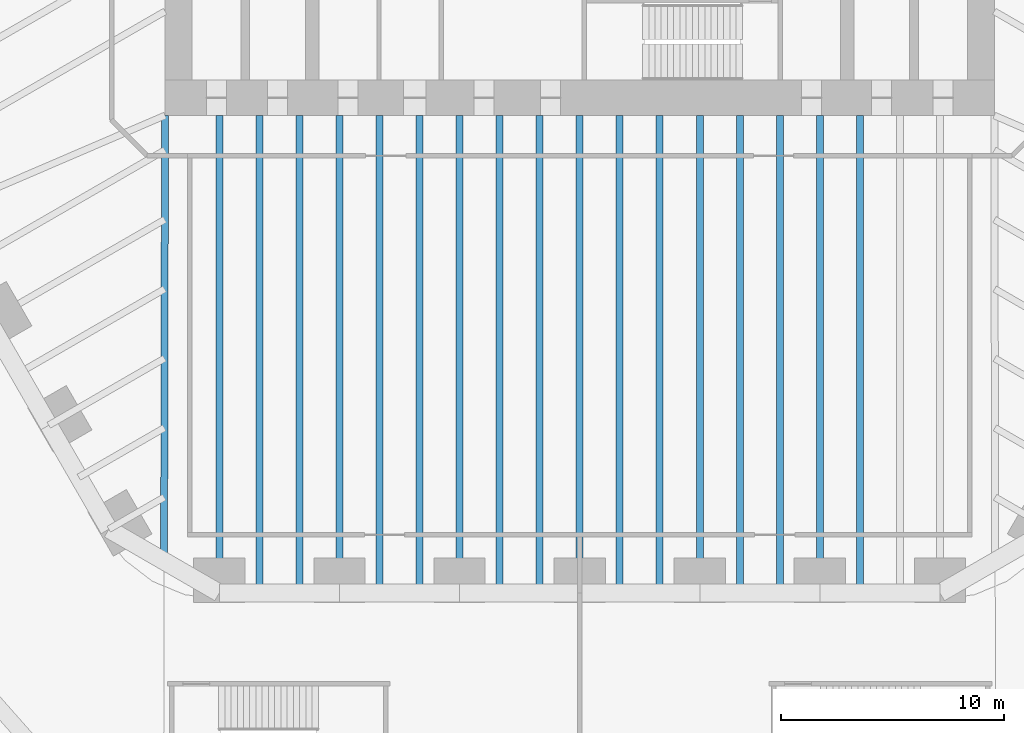
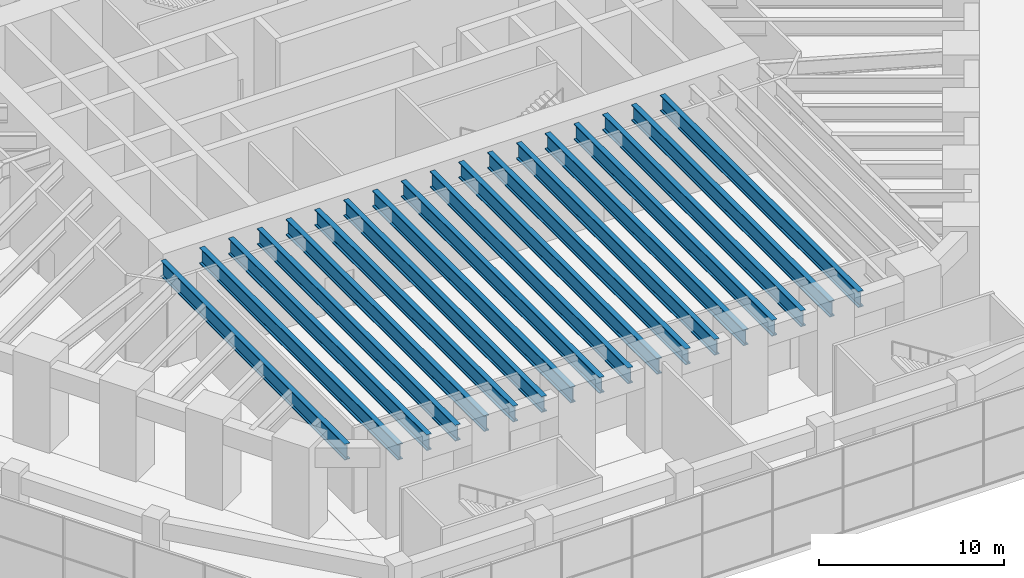
# One storey, part 8 of 31: 18 beams.
"""IFC4 building model written with IfcOpenShell, lengths in metres."""

from ifc_helpers import new_model, si_unit, direction, frame, origin, origin_2d, place, context, subcontext, project, spatial, i_section, extrude, material, material_profile, profile_set, type_object, element, save


model = new_model("IFC4")

# Units and contexts
model_context = context("Model", 3, precision=1e-05, world=origin(), true_north=direction((0.0, 1.0)))
body_context = subcontext(model_context, "Body", "Model", "MODEL_VIEW")
ifc_project = project(units=[si_unit("LENGTHUNIT", "METRE"), si_unit("AREAUNIT", "SQUARE_METRE"), si_unit("VOLUMEUNIT", "CUBIC_METRE"), si_unit("PLANEANGLEUNIT", "RADIAN"), si_unit("MASSUNIT", "GRAM", prefix="KILO")], contexts=[model_context])

# Site, building, storey
site_placement = place(None, origin())
site = spatial("IfcSite", under=ifc_project, at=site_placement, CompositionType="ELEMENT")
building_placement = place(site_placement, origin())
building = spatial("IfcBuilding", under=site, at=building_placement, Name="Tarfa Lantern Tower", CompositionType="ELEMENT")
storey_placement = place(building_placement, frame((0.0, 0.0, 7.0)))
storey = spatial("IfcBuildingStorey", under=building, at=storey_placement, Name="L01", CompositionType="ELEMENT", Elevation=7.0)

# Beams
ifc_material = material(Name="Steel S460M", Category="steel")
ifc_material_profile = material_profile(ifc_material, i_section(OverallWidth=0.314208984375, OverallDepth=1.055908203125, WebThickness=0.035888671875, FlangeThickness=0.06396484375, FilletRadius=0.030029296875, at=origin_2d()), Name="UB1016x305x584")
ifc_profile_set = profile_set([ifc_material_profile], Name="Steel S460M")
beam_type = type_object("IfcBeamType", Name="UB1016x305x584", PredefinedType="BEAM", material=ifc_profile_set)
beam_placement = place(storey_placement, frame((-18.60009765625, -12.300048828125, 5.1220703125), z_axis=(-0.00212508222, -0.99999774201, 0.0), x_axis=(0.99999774201, -0.00212508222, 0.0)))
element("IfcBeam", 1, at=beam_placement, inside=storey, type_object=beam_type, Name="Hip girder SW", PredefinedType="BEAM", context=body_context, shape_type="SweptSolid", body=[
    extrude(i_section(OverallWidth=0.314208984375, OverallDepth=1.055908203125, WebThickness=0.035888671875, FlangeThickness=0.06396484375, FilletRadius=0.030029296875, at=origin_2d()), origin(), (0.0, 0.0, 1.0), 19.989990234375),
])
for number, where, z_axis, x_axis, name in (
    (2, (-16.165771484375, -33.719970703125, 5.1220703125), (0.0, 1.0, 0.0), (-1.0, 0.0, 0.0), "Floor beam S0"),
    (3, (-10.777099609375, -33.719970703125, 5.1220703125), (0.0, 1.0, 0.0), (-1.0, 0.0, 0.0), "Floor beam S1"),
    (4, (-5.388671875, -33.719970703125, 5.1220703125), (0.0, 1.0, 0.0), (-1.0, 0.0, 0.0), "Floor beam S2"),
    (5, (0.0, -33.719970703125, 5.1220703125), (0.0, 1.0, 0.0), (-1.0, 0.0, 0.0), "Floor beam S3"),
    (6, (5.388671875, -33.719970703125, 5.1220703125), (0.0, 1.0, 0.0), (-1.0, 0.0, 0.0), "Floor beam S4"),
    (7, (10.777099609375, -33.719970703125, 5.1220703125), (0.0, 1.0, 0.0), (-1.0, 0.0, 0.0), "Floor beam S5"),
    (8, (-14.36962890625, -33.719970703125, 5.1220703125), (0.0, 1.0, 0.0), (-1.0, 0.0, 0.0), "Floor beam S0M1"),
    (9, (-12.573486328125, -33.719970703125, 5.1220703125), (0.0, 1.0, 0.0), (-1.0, 0.0, 0.0), "Floor beam S0M2"),
    (10, (-8.98095703125, -33.719970703125, 5.1220703125), (0.0, 1.0, 0.0), (-1.0, 0.0, 0.0), "Floor beam S1M1"),
    (11, (-7.184814453125, -33.719970703125, 5.1220703125), (0.0, 1.0, 0.0), (-1.0, 0.0, 0.0), "Floor beam S1M2"),
    (12, (-3.59228515625, -33.719970703125, 5.1220703125), (0.0, 1.0, 0.0), (-1.0, 0.0, 0.0), "Floor beam S2M1"),
    (13, (-1.796142578125, -33.719970703125, 5.1220703125), (0.0, 1.0, 0.0), (-1.0, 0.0, 0.0), "Floor beam S2M2"),
    (14, (1.796142578125, -33.719970703125, 5.1220703125), (0.0, 1.0, 0.0), (-1.0, 0.0, 0.0), "Floor beam S3M1"),
    (15, (3.59228515625, -33.719970703125, 5.1220703125), (0.0, 1.0, 0.0), (-1.0, 0.0, 0.0), "Floor beam S3M2"),
    (16, (7.184814453125, -33.719970703125, 5.1220703125), (0.0, 1.0, 0.0), (-1.0, 0.0, 0.0), "Floor beam S4M1"),
    (17, (8.98095703125, -33.719970703125, 5.1220703125), (0.0, 1.0, 0.0), (-1.0, 0.0, 0.0), "Floor beam S4M2"),
    (18, (12.573486328125, -33.719970703125, 5.1220703125), (0.0, 1.0, 0.0), (-1.0, 0.0, 0.0), "Floor beam S5M1"),
):
    element("IfcBeam", number, at=place(storey_placement, frame(where, z_axis=z_axis, x_axis=x_axis)), inside=storey, type_object=beam_type, Name=name, PredefinedType="BEAM", context=body_context, shape_type="SweptSolid", body=[
        extrude(i_section(OverallWidth=0.314208984375, OverallDepth=1.055908203125, WebThickness=0.035888671875, FlangeThickness=0.06396484375, FilletRadius=0.030029296875, at=origin_2d()), origin(), (0.0, 0.0, 1.0), 21.419921875),
    ])

save(model, "model.ifc")
